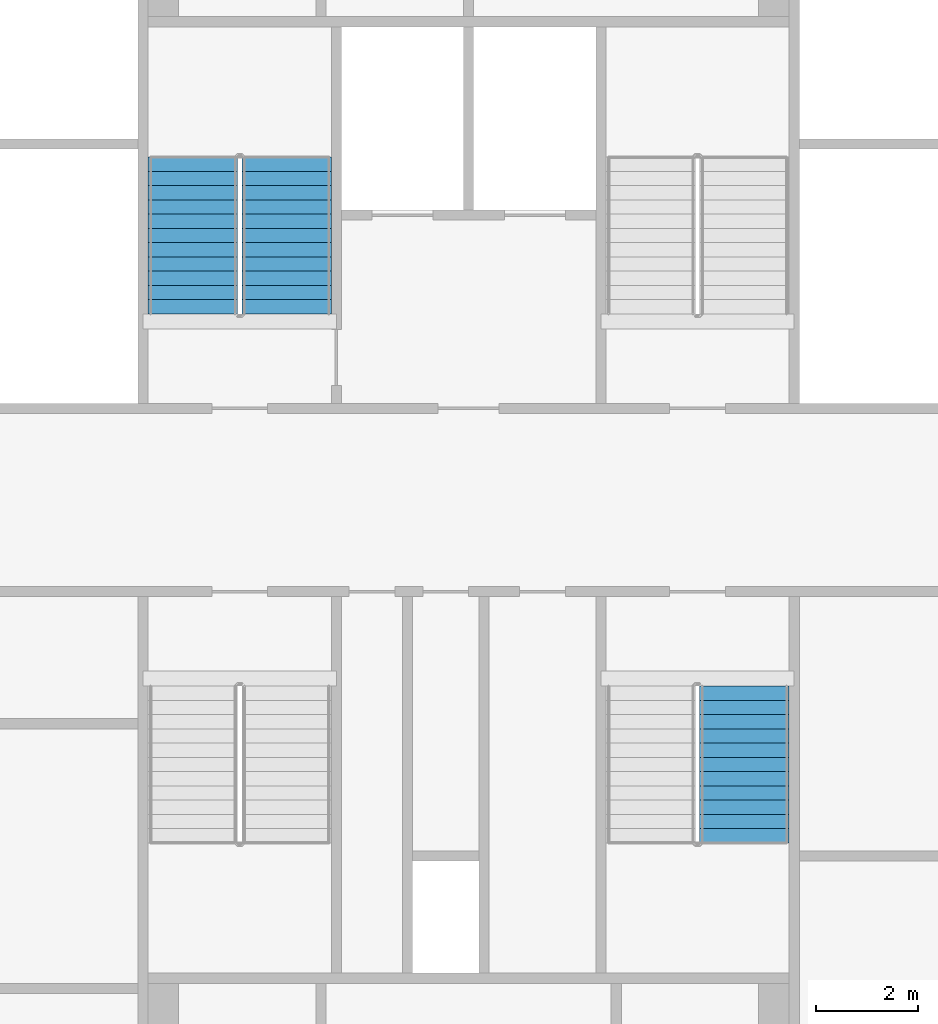
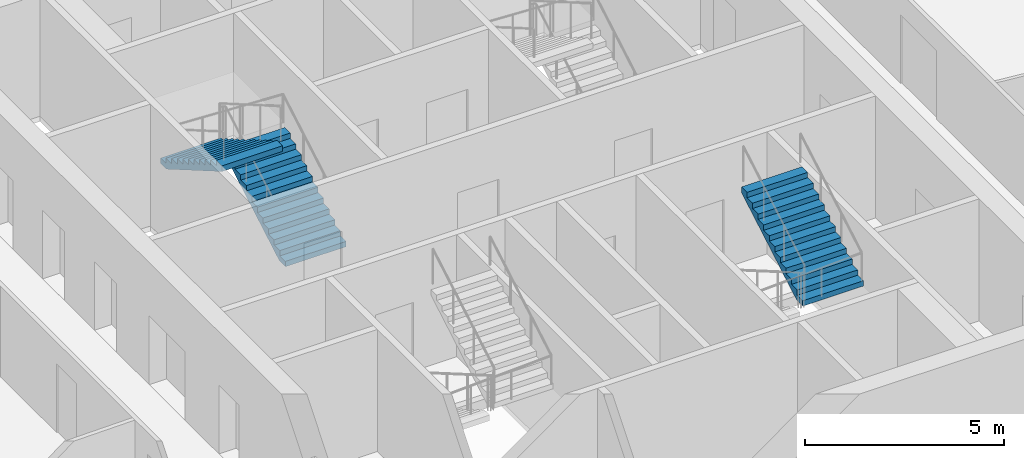
# One storey, part 9 of 15: 3 stair flights, 2 elements without a shape of their own.
"""IFC4 building model written with IfcOpenShell, lengths in metres."""

import ifcopenshell
import ifcopenshell.guid

model = None  # the IFC model being written
_history = None  # IfcOwnerHistory: only IFC2X3 demands one
_inside = {}  # id of a spatial element -> (the spatial element, [elements in it])
_under = {}  # id of a project, library or spatial element -> (it, [spatial elements below it])
_declared = {}  # id of a project -> (the project, [libraries it declares])
_typed = {}  # id of a type object -> (the type object, [elements of that type])
_made_of = {}  # id of a material, layer set ... -> (it, [elements and type objects made of it])


def new_model(schema):
    """Start an empty IFC model of exactly this schema.

    Asked for "IFC4X3", IfcOpenShell would pick the latest addendum, in which some entities
    have other attributes; the version numbers below select the first issue.
    IFC2X3 requires an IfcOwnerHistory on every rooted entity: one is made here for all.
    """
    global model, _history
    if schema == "IFC4X3":
        model = ifcopenshell.file(schema_version=(4, 3, 0, 0))
    else:
        model = ifcopenshell.file(schema=schema)
    _inside.clear()
    _under.clear()
    _declared.clear()
    _typed.clear()
    _made_of.clear()
    _history = None
    if model.schema == "IFC2X3":
        org = make("IfcOrganization", Name="unknown")
        user = make(
            "IfcPersonAndOrganization",
            ThePerson=make("IfcPerson", FamilyName="unknown"),
            TheOrganization=org,
        )
        app = make(
            "IfcApplication",
            ApplicationDeveloper=org,
            Version="unknown",
            ApplicationFullName="unknown",
            ApplicationIdentifier="unknown",
        )
        _history = make(
            "IfcOwnerHistory",
            OwningUser=user,
            OwningApplication=app,
            ChangeAction="ADDED",
            CreationDate=0,
        )
    return model


def make(cls, **values):
    """One entity of the class cls with the attributes given. An attribute that is None is left unset."""
    return model.create_entity(
        cls, **{name: value for name, value in values.items() if value is not None}
    )


def rooted(cls, **values):
    """An entity with a GlobalId (a new one), such as an element, a storey or a relation."""
    return make(cls, GlobalId=ifcopenshell.guid.new(), OwnerHistory=_history, **values)


def si_unit(unit_type, name, prefix=None):
    """IfcSIUnit, for example si_unit("LENGTHUNIT", "METRE", prefix="MILLI")."""
    return make("IfcSIUnit", UnitType=unit_type, Prefix=prefix, Name=name)


def assignment(units):
    """IfcUnitAssignment: the units of a project."""
    return None if units is None else make("IfcUnitAssignment", Units=units)


def point(xyz):
    """IfcCartesianPoint."""
    return None if xyz is None else make("IfcCartesianPoint", Coordinates=xyz)


def direction(xyz):
    """IfcDirection."""
    return None if xyz is None else make("IfcDirection", DirectionRatios=xyz)


def frame(location, z_axis=None, x_axis=None):
    """IfcAxis2Placement3D, a coordinate frame: its origin and axes. An axis left out is left unset."""
    return make(
        "IfcAxis2Placement3D",
        Location=point(location),
        Axis=direction(z_axis),
        RefDirection=direction(x_axis),
    )


def origin():
    """The frame at (0, 0, 0) with its axes left unset."""
    return frame((0.0, 0.0, 0.0))


def place(relative_to, where):
    """IfcLocalPlacement: puts the frame where relative to a parent placement (None: the world)."""
    return make(
        "IfcLocalPlacement", PlacementRelTo=relative_to, RelativePlacement=where
    )


def context(
    kind, dimensions, precision=None, world=None, true_north=None, identifier=None
):
    """IfcGeometricRepresentationContext, for example the 3D "Model" context."""
    return make(
        "IfcGeometricRepresentationContext",
        ContextIdentifier=identifier,
        ContextType=kind,
        CoordinateSpaceDimension=dimensions,
        Precision=precision,
        WorldCoordinateSystem=world,
        TrueNorth=true_north,
    )


def subcontext(parent, identifier, kind, view, scale=None):
    """IfcGeometricRepresentationSubContext, for example "Body" below "Model"."""
    return make(
        "IfcGeometricRepresentationSubContext",
        ContextIdentifier=identifier,
        ContextType=kind,
        ParentContext=parent,
        TargetScale=scale,
        TargetView=view,
    )


def project(units=None, contexts=None):
    """IfcProject with its units and contexts."""
    return rooted(
        "IfcProject",
        Name="project",
        RepresentationContexts=contexts,
        UnitsInContext=assignment(units),
    )


def spatial(cls, under=None, at=None, **own):
    """A site, building, storey or space (cls), placed at a placement, below another one or the project."""
    s = rooted(cls, ObjectPlacement=at, **own)
    if under is not None:
        _under.setdefault(under.id(), (under, []))[1].append(s)
    return s


def faces_of(points, faces, orient=None, outer=None):
    """IfcFace entities. A face is a list of loops; a loop is a list of indices into points, from 0.

    orient and outer hold one flag for each loop. By default every Orientation is true, the
    first loop of a face is its IfcFaceOuterBound and the others are IfcFaceBound.
    """
    made = []
    for i, loops in enumerate(faces):
        bounds = []
        for j, loop in enumerate(loops):
            is_outer = j == 0 if outer is None else outer[i][j]
            bounds.append(
                make(
                    "IfcFaceOuterBound" if is_outer else "IfcFaceBound",
                    Bound=make("IfcPolyLoop", Polygon=[points[k] for k in loop]),
                    Orientation=True if orient is None else orient[i][j],
                )
            )
        made.append(make("IfcFace", Bounds=bounds))
    return made


def faceted_brep(points, faces, orient=None, outer=None, voids=None):
    """IfcFacetedBrep: a solid bounded by flat faces; with voids (closed shells), ...WithVoids."""
    shared = [point(p) for p in points]
    hull = make("IfcClosedShell", CfsFaces=faces_of(shared, faces, orient, outer))
    if voids is None:
        return make("IfcFacetedBrep", Outer=hull)
    return make(
        "IfcFacetedBrepWithVoids",
        Outer=hull,
        Voids=[
            make(cls, CfsFaces=faces_of(shared, fs, o, b)) for cls, fs, o, b in voids
        ],
    )


def shape(context_of_items, identifier, shape_type, items):
    """IfcShapeRepresentation: the items that make up one representation, for example the "Body"."""
    return make(
        "IfcShapeRepresentation",
        ContextOfItems=context_of_items,
        RepresentationIdentifier=identifier,
        RepresentationType=shape_type,
        Items=items,
    )


def material(Name=None, Category=None):
    """IfcMaterial."""
    return make("IfcMaterial", Name=Name, Category=Category)


def made_of(thing, what):
    """Note that an element or type object is made of a material, layer set ...; save() writes the relation."""
    if what is not None:
        _made_of.setdefault(what.id(), (what, []))[1].append(thing)
    return thing


def type_object(cls, material=None, **own):
    """A type object (cls), such as IfcWallType, which elements share."""
    return made_of(rooted(cls, **own), material)


def element(
    cls,
    number,
    at=None,
    inside=None,
    cuts=None,
    type_object=None,
    material=None,
    context=None,
    identifier="Body",
    shape_type=None,
    held_by="IfcProductDefinitionShape",
    body=None,
    shapes=None,
    **own,
):
    """One element of the class cls, such as IfcWall. Its Tag is "e" and its number.

    at: its placement. inside: the storey or other place that contains it. cuts: it is an
    opening in that element (IfcRelVoidsElement). A single representation is given by context,
    identifier, shape_type and body (its items); several are given by shapes. held_by: the class
    of the entity that holds the representations. save() writes the other relations.
    """
    e = rooted(cls, Tag="e%d" % number, ObjectPlacement=at, **own)
    if body is not None:
        shapes = [shape(context, identifier, shape_type, body)]
    if shapes is not None:
        e.Representation = make(held_by, Representations=shapes)
    if inside is not None:
        _inside.setdefault(inside.id(), (inside, []))[1].append(e)
    if cuts is not None:
        rooted(
            "IfcRelVoidsElement", RelatingBuildingElement=cuts, RelatedOpeningElement=e
        )
    if type_object is not None:
        _typed.setdefault(type_object.id(), (type_object, []))[1].append(e)
    return made_of(e, material)


def aggregate(whole, parts):
    """IfcRelAggregates: a whole, such as a stair, and the parts it consists of."""
    return rooted("IfcRelAggregates", RelatingObject=whole, RelatedObjects=parts)


def save(model, path):
    """Write the relations noted so far, then the file.

    IfcRelAggregates (storeys below a building ...), IfcRelContainedInSpatialStructure (elements
    in a storey), IfcRelDefinesByType, IfcRelAssociatesMaterial and IfcRelDeclares: one each for
    every whole, place, type object, material and project.
    """
    for whole, parts in _under.values():
        aggregate(whole, parts)
    for where, things in _inside.values():
        rooted(
            "IfcRelContainedInSpatialStructure",
            RelatedElements=things,
            RelatingStructure=where,
        )
    for kind, things in _typed.values():
        rooted("IfcRelDefinesByType", RelatedObjects=things, RelatingType=kind)
    for what, things in _made_of.values():
        rooted("IfcRelAssociatesMaterial", RelatedObjects=things, RelatingMaterial=what)
    for by, libraries in _declared.values():
        rooted("IfcRelDeclares", RelatingContext=by, RelatedDefinitions=libraries)
    model.write(path)


model = new_model("IFC4")

# Units and contexts
model_context = context("Model", 3, precision=1e-05, world=origin(), true_north=direction((0.0, 1.0)))
body_context = subcontext(model_context, "Body", "Model", "MODEL_VIEW")
ifc_project = project(units=[si_unit("LENGTHUNIT", "METRE"), si_unit("AREAUNIT", "SQUARE_METRE"), si_unit("VOLUMEUNIT", "CUBIC_METRE"), si_unit("PLANEANGLEUNIT", "RADIAN"), si_unit("MASSUNIT", "GRAM", prefix="KILO")], contexts=[model_context])

# Site, building, storey
site_placement = place(None, origin())
site = spatial("IfcSite", under=ifc_project, at=site_placement, CompositionType="ELEMENT")
building_placement = place(site_placement, origin())
building = spatial("IfcBuilding", under=site, at=building_placement, Name="Tarsis Ring Headquarters", CompositionType="ELEMENT")
storey_placement = place(building_placement, frame((0.0, 0.0, 290.300048828125)))
storey = spatial("IfcBuildingStorey", under=building, at=storey_placement, Name="L68", CompositionType="ELEMENT", Elevation=290.300048828125)

# Stair, stair flights
ifc_material_1 = material(Name="Core stair 1760")
stair_type = type_object("IfcStairType", Name="Core stair 1760", PredefinedType="HALF_TURN_STAIR", material=ifc_material_1)
stair_1_placement = place(storey_placement, origin())
stair_1 = element("IfcStair", 1, at=stair_1_placement, inside=storey, type_object=stair_type, Name="L68 Firefighting stair", PredefinedType="HALF_TURN_STAIR")
ifc_material_2 = material(Name="Concrete C40/50", Category="concrete")
stair_flight_type = type_object("IfcStairFlightType", Name="Core stair flight 1760", PredefinedType="STRAIGHT", material=ifc_material_2)
stair_flight_1_placement = place(storey_placement, frame((-3.580078125, 3.659912109375, 0.0), z_axis=(0.0, 0.0, 1.0), x_axis=(0.0, 1.0, 0.0)))
stair_flight_1 = element("IfcStairFlight", 2, at=stair_flight_1_placement, type_object=stair_flight_type, Name="Stair ST1 flight 1", NumberOfRisers=12, NumberOfTreads=11, PredefinedType="STRAIGHT", RiserHeight=0.1625, TreadLength=0.28, context=body_context, shape_type="Brep", body=[
    faceted_brep([(0.0, 0.8798828125, 0.0), (0.0, 0.8798828125, 0.16259765625), (0.280029296875, 0.8798828125, 0.16259765625), (0.280029296875, 0.8798828125, 0.324951171875), (0.56005859375, 0.8798828125, 0.324951171875), (0.56005859375, 0.8798828125, 0.487548828125), (0.840087890625, 0.8798828125, 0.487548828125), (0.840087890625, 0.8798828125, 0.64990234375), (1.1201171875, 0.8798828125, 0.64990234375), (1.1201171875, 0.8798828125, 0.8125), (1.39990234375, 0.8798828125, 0.8125), (1.39990234375, 0.8798828125, 0.97509765625), (1.679931640625, 0.8798828125, 0.97509765625), (1.679931640625, 0.8798828125, 1.137451171875), (1.9599609375, 0.8798828125, 1.137451171875), (1.9599609375, 0.8798828125, 1.300048828125), (2.239990234375, 0.8798828125, 1.300048828125), (2.239990234375, 0.8798828125, 1.46240234375), (2.52001953125, 0.8798828125, 1.46240234375), (2.52001953125, 0.8798828125, 1.625), (2.800048828125, 0.8798828125, 1.625), (2.800048828125, 0.8798828125, 1.78759765625), (3.080078125, 0.8798828125, 1.78759765625), (3.080078125, 0.8798828125, 1.6142578125), (0.298583984375, 0.8798828125, 0.0), (0.298583984375, -0.8798828125, 0.0), (3.080078125, -0.8798828125, 1.6142578125), (3.080078125, -0.8798828125, 1.78759765625), (2.800048828125, -0.8798828125, 1.78759765625), (2.800048828125, -0.8798828125, 1.625), (2.52001953125, -0.8798828125, 1.625), (2.52001953125, -0.8798828125, 1.46240234375), (2.239990234375, -0.8798828125, 1.46240234375), (2.239990234375, -0.8798828125, 1.300048828125), (1.9599609375, -0.8798828125, 1.300048828125), (1.9599609375, -0.8798828125, 1.137451171875), (1.679931640625, -0.8798828125, 1.137451171875), (1.679931640625, -0.8798828125, 0.97509765625), (1.39990234375, -0.8798828125, 0.97509765625), (1.39990234375, -0.8798828125, 0.8125), (1.1201171875, -0.8798828125, 0.8125), (1.1201171875, -0.8798828125, 0.64990234375), (0.840087890625, -0.8798828125, 0.64990234375), (0.840087890625, -0.8798828125, 0.487548828125), (0.56005859375, -0.8798828125, 0.487548828125), (0.56005859375, -0.8798828125, 0.324951171875), (0.280029296875, -0.8798828125, 0.324951171875), (0.280029296875, -0.8798828125, 0.16259765625), (0.0, -0.8798828125, 0.16259765625), (0.0, -0.8798828125, 0.0), (0.0, -0.43994140625, 0.16259765625), (0.0, -0.43994140625, 0.0), (0.0, 0.0, 0.16259765625), (0.0, 0.0, 0.0), (0.0, 0.43994140625, 0.16259765625), (0.0, 0.43994140625, 0.0), (0.280029296875, -0.43994140625, 0.16259765625), (0.280029296875, 0.0, 0.16259765625), (0.280029296875, 0.43994140625, 0.16259765625), (0.280029296875, -0.43994140625, 0.324951171875), (0.280029296875, 0.0, 0.324951171875), (0.280029296875, 0.43994140625, 0.324951171875), (0.56005859375, -0.43994140625, 0.324951171875), (0.56005859375, 0.0, 0.324951171875), (0.56005859375, 0.43994140625, 0.324951171875), (0.56005859375, -0.43994140625, 0.487548828125), (0.56005859375, 0.0, 0.487548828125), (0.56005859375, 0.43994140625, 0.487548828125), (0.840087890625, -0.43994140625, 0.487548828125), (0.840087890625, 0.0, 0.487548828125), (0.840087890625, 0.43994140625, 0.487548828125), (0.840087890625, -0.43994140625, 0.64990234375), (0.840087890625, 0.0, 0.64990234375), (0.840087890625, 0.43994140625, 0.64990234375), (1.1201171875, -0.43994140625, 0.64990234375), (1.1201171875, 0.0, 0.64990234375), (1.1201171875, 0.43994140625, 0.64990234375), (1.1201171875, -0.43994140625, 0.8125), (1.1201171875, 0.0, 0.8125), (1.1201171875, 0.43994140625, 0.8125), (1.39990234375, -0.43994140625, 0.8125), (1.39990234375, 0.0, 0.8125), (1.39990234375, 0.43994140625, 0.8125), (1.39990234375, -0.43994140625, 0.97509765625), (1.39990234375, 0.0, 0.97509765625), (1.39990234375, 0.43994140625, 0.97509765625), (1.679931640625, -0.43994140625, 0.97509765625), (1.679931640625, 0.0, 0.97509765625), (1.679931640625, 0.43994140625, 0.97509765625), (1.679931640625, -0.43994140625, 1.137451171875), (1.679931640625, 0.0, 1.137451171875), (1.679931640625, 0.43994140625, 1.137451171875), (1.9599609375, -0.43994140625, 1.137451171875), (1.9599609375, 0.0, 1.137451171875), (1.9599609375, 0.43994140625, 1.137451171875), (1.9599609375, -0.43994140625, 1.300048828125), (1.9599609375, 0.0, 1.300048828125), (1.9599609375, 0.43994140625, 1.300048828125), (2.239990234375, -0.43994140625, 1.300048828125), (2.239990234375, 0.0, 1.300048828125), (2.239990234375, 0.43994140625, 1.300048828125), (2.239990234375, -0.43994140625, 1.46240234375), (2.239990234375, 0.0, 1.46240234375), (2.239990234375, 0.43994140625, 1.46240234375), (2.52001953125, -0.43994140625, 1.46240234375), (2.52001953125, 0.0, 1.46240234375), (2.52001953125, 0.43994140625, 1.46240234375), (2.52001953125, -0.43994140625, 1.625), (2.52001953125, 0.0, 1.625), (2.52001953125, 0.43994140625, 1.625), (2.800048828125, -0.43994140625, 1.625), (2.800048828125, 0.0, 1.625), (2.800048828125, 0.43994140625, 1.625), (2.800048828125, -0.43994140625, 1.78759765625), (2.800048828125, 0.0, 1.78759765625), (2.800048828125, 0.43994140625, 1.78759765625), (3.080078125, -0.43994140625, 1.78759765625), (3.080078125, 0.0, 1.78759765625), (3.080078125, 0.43994140625, 1.78759765625), (3.080078125, -0.43994140625, 1.6142578125), (3.080078125, 0.0, 1.6142578125), (3.080078125, 0.43994140625, 1.6142578125), (0.298583984375, -0.43994140625, 0.0), (0.298583984375, 0.0, 0.0), (0.298583984375, 0.43994140625, 0.0)], [[[0, 1, 2, 3, 4, 5, 6, 7, 8, 9, 10, 11, 12, 13, 14, 15, 16, 17, 18, 19, 20, 21, 22, 23, 24]], [[25, 26, 27, 28, 29, 30, 31, 32, 33, 34, 35, 36, 37, 38, 39, 40, 41, 42, 43, 44, 45, 46, 47, 48, 49]], [[49, 48, 50, 51]], [[51, 50, 52, 53]], [[53, 52, 54, 55]], [[55, 54, 1, 0]], [[48, 47, 56, 50]], [[50, 56, 57, 52]], [[52, 57, 58, 54]], [[54, 58, 2, 1]], [[47, 46, 59, 56]], [[56, 59, 60, 57]], [[57, 60, 61, 58]], [[58, 61, 3, 2]], [[46, 45, 62, 59]], [[59, 62, 63, 60]], [[60, 63, 64, 61]], [[61, 64, 4, 3]], [[45, 44, 65, 62]], [[62, 65, 66, 63]], [[63, 66, 67, 64]], [[64, 67, 5, 4]], [[44, 43, 68, 65]], [[65, 68, 69, 66]], [[66, 69, 70, 67]], [[67, 70, 6, 5]], [[43, 42, 71, 68]], [[68, 71, 72, 69]], [[69, 72, 73, 70]], [[70, 73, 7, 6]], [[42, 41, 74, 71]], [[71, 74, 75, 72]], [[72, 75, 76, 73]], [[73, 76, 8, 7]], [[41, 40, 77, 74]], [[74, 77, 78, 75]], [[75, 78, 79, 76]], [[76, 79, 9, 8]], [[40, 39, 80, 77]], [[77, 80, 81, 78]], [[78, 81, 82, 79]], [[79, 82, 10, 9]], [[39, 38, 83, 80]], [[80, 83, 84, 81]], [[81, 84, 85, 82]], [[82, 85, 11, 10]], [[38, 37, 86, 83]], [[83, 86, 87, 84]], [[84, 87, 88, 85]], [[85, 88, 12, 11]], [[37, 36, 89, 86]], [[86, 89, 90, 87]], [[87, 90, 91, 88]], [[88, 91, 13, 12]], [[36, 35, 92, 89]], [[89, 92, 93, 90]], [[90, 93, 94, 91]], [[91, 94, 14, 13]], [[35, 34, 95, 92]], [[92, 95, 96, 93]], [[93, 96, 97, 94]], [[94, 97, 15, 14]], [[34, 33, 98, 95]], [[95, 98, 99, 96]], [[96, 99, 100, 97]], [[97, 100, 16, 15]], [[33, 32, 101, 98]], [[98, 101, 102, 99]], [[99, 102, 103, 100]], [[100, 103, 17, 16]], [[32, 31, 104, 101]], [[101, 104, 105, 102]], [[102, 105, 106, 103]], [[103, 106, 18, 17]], [[31, 30, 107, 104]], [[104, 107, 108, 105]], [[105, 108, 109, 106]], [[106, 109, 19, 18]], [[30, 29, 110, 107]], [[107, 110, 111, 108]], [[108, 111, 112, 109]], [[109, 112, 20, 19]], [[29, 28, 113, 110]], [[110, 113, 114, 111]], [[111, 114, 115, 112]], [[112, 115, 21, 20]], [[28, 27, 116, 113]], [[113, 116, 117, 114]], [[114, 117, 118, 115]], [[115, 118, 22, 21]], [[27, 26, 119, 116]], [[116, 119, 120, 117]], [[117, 120, 121, 118]], [[118, 121, 23, 22]], [[26, 25, 122, 119]], [[119, 122, 123, 120]], [[120, 123, 124, 121]], [[121, 124, 24, 23]], [[25, 49, 51, 122]], [[122, 51, 53, 123]], [[123, 53, 55, 124]], [[124, 55, 0, 24]]]),
])
stair_flight_2_placement = place(storey_placement, frame((-5.419921875, 6.739990234375, 1.949951171875), z_axis=(0.0, 0.0, 1.0), x_axis=(0.0, -1.0, 0.0)))
stair_flight_2 = element("IfcStairFlight", 3, at=stair_flight_2_placement, type_object=stair_flight_type, Name="Stair ST1 flight 2", NumberOfRisers=12, NumberOfTreads=11, PredefinedType="STRAIGHT", RiserHeight=0.1625, TreadLength=0.28, context=body_context, shape_type="Brep", body=[
    faceted_brep([(0.0, 0.8798828125, 0.0), (0.0, 0.8798828125, 0.16259765625), (0.280029296875, 0.8798828125, 0.16259765625), (0.280029296875, 0.8798828125, 0.324951171875), (0.56005859375, 0.8798828125, 0.324951171875), (0.56005859375, 0.8798828125, 0.487548828125), (0.840087890625, 0.8798828125, 0.487548828125), (0.840087890625, 0.8798828125, 0.64990234375), (1.1201171875, 0.8798828125, 0.64990234375), (1.1201171875, 0.8798828125, 0.8125), (1.39990234375, 0.8798828125, 0.8125), (1.39990234375, 0.8798828125, 0.97509765625), (1.679931640625, 0.8798828125, 0.97509765625), (1.679931640625, 0.8798828125, 1.137451171875), (1.9599609375, 0.8798828125, 1.137451171875), (1.9599609375, 0.8798828125, 1.300048828125), (2.239990234375, 0.8798828125, 1.300048828125), (2.239990234375, 0.8798828125, 1.46240234375), (2.52001953125, 0.8798828125, 1.46240234375), (2.52001953125, 0.8798828125, 1.625), (2.800048828125, 0.8798828125, 1.625), (2.800048828125, 0.8798828125, 1.78759765625), (3.080078125, 0.8798828125, 1.78759765625), (3.080078125, 0.8798828125, 1.6142578125), (0.298583984375, 0.8798828125, 0.0), (0.298583984375, -0.8798828125, 0.0), (3.080078125, -0.8798828125, 1.6142578125), (3.080078125, -0.8798828125, 1.78759765625), (2.800048828125, -0.8798828125, 1.78759765625), (2.800048828125, -0.8798828125, 1.625), (2.52001953125, -0.8798828125, 1.625), (2.52001953125, -0.8798828125, 1.46240234375), (2.239990234375, -0.8798828125, 1.46240234375), (2.239990234375, -0.8798828125, 1.300048828125), (1.9599609375, -0.8798828125, 1.300048828125), (1.9599609375, -0.8798828125, 1.137451171875), (1.679931640625, -0.8798828125, 1.137451171875), (1.679931640625, -0.8798828125, 0.97509765625), (1.39990234375, -0.8798828125, 0.97509765625), (1.39990234375, -0.8798828125, 0.8125), (1.1201171875, -0.8798828125, 0.8125), (1.1201171875, -0.8798828125, 0.64990234375), (0.840087890625, -0.8798828125, 0.64990234375), (0.840087890625, -0.8798828125, 0.487548828125), (0.56005859375, -0.8798828125, 0.487548828125), (0.56005859375, -0.8798828125, 0.324951171875), (0.280029296875, -0.8798828125, 0.324951171875), (0.280029296875, -0.8798828125, 0.16259765625), (0.0, -0.8798828125, 0.16259765625), (0.0, -0.8798828125, 0.0), (0.0, -0.43994140625, 0.16259765625), (0.0, -0.43994140625, 0.0), (0.0, 0.0, 0.16259765625), (0.0, 0.0, 0.0), (0.0, 0.43994140625, 0.16259765625), (0.0, 0.43994140625, 0.0), (0.280029296875, -0.43994140625, 0.16259765625), (0.280029296875, 0.0, 0.16259765625), (0.280029296875, 0.43994140625, 0.16259765625), (0.280029296875, -0.43994140625, 0.324951171875), (0.280029296875, 0.0, 0.324951171875), (0.280029296875, 0.43994140625, 0.324951171875), (0.56005859375, -0.43994140625, 0.324951171875), (0.56005859375, 0.0, 0.324951171875), (0.56005859375, 0.43994140625, 0.324951171875), (0.56005859375, -0.43994140625, 0.487548828125), (0.56005859375, 0.0, 0.487548828125), (0.56005859375, 0.43994140625, 0.487548828125), (0.840087890625, -0.43994140625, 0.487548828125), (0.840087890625, 0.0, 0.487548828125), (0.840087890625, 0.43994140625, 0.487548828125), (0.840087890625, -0.43994140625, 0.64990234375), (0.840087890625, 0.0, 0.64990234375), (0.840087890625, 0.43994140625, 0.64990234375), (1.1201171875, -0.43994140625, 0.64990234375), (1.1201171875, 0.0, 0.64990234375), (1.1201171875, 0.43994140625, 0.64990234375), (1.1201171875, -0.43994140625, 0.8125), (1.1201171875, 0.0, 0.8125), (1.1201171875, 0.43994140625, 0.8125), (1.39990234375, -0.43994140625, 0.8125), (1.39990234375, 0.0, 0.8125), (1.39990234375, 0.43994140625, 0.8125), (1.39990234375, -0.43994140625, 0.97509765625), (1.39990234375, 0.0, 0.97509765625), (1.39990234375, 0.43994140625, 0.97509765625), (1.679931640625, -0.43994140625, 0.97509765625), (1.679931640625, 0.0, 0.97509765625), (1.679931640625, 0.43994140625, 0.97509765625), (1.679931640625, -0.43994140625, 1.137451171875), (1.679931640625, 0.0, 1.137451171875), (1.679931640625, 0.43994140625, 1.137451171875), (1.9599609375, -0.43994140625, 1.137451171875), (1.9599609375, 0.0, 1.137451171875), (1.9599609375, 0.43994140625, 1.137451171875), (1.9599609375, -0.43994140625, 1.300048828125), (1.9599609375, 0.0, 1.300048828125), (1.9599609375, 0.43994140625, 1.300048828125), (2.239990234375, -0.43994140625, 1.300048828125), (2.239990234375, 0.0, 1.300048828125), (2.239990234375, 0.43994140625, 1.300048828125), (2.239990234375, -0.43994140625, 1.46240234375), (2.239990234375, 0.0, 1.46240234375), (2.239990234375, 0.43994140625, 1.46240234375), (2.52001953125, -0.43994140625, 1.46240234375), (2.52001953125, 0.0, 1.46240234375), (2.52001953125, 0.43994140625, 1.46240234375), (2.52001953125, -0.43994140625, 1.625), (2.52001953125, 0.0, 1.625), (2.52001953125, 0.43994140625, 1.625), (2.800048828125, -0.43994140625, 1.625), (2.800048828125, 0.0, 1.625), (2.800048828125, 0.43994140625, 1.625), (2.800048828125, -0.43994140625, 1.78759765625), (2.800048828125, 0.0, 1.78759765625), (2.800048828125, 0.43994140625, 1.78759765625), (3.080078125, -0.43994140625, 1.78759765625), (3.080078125, 0.0, 1.78759765625), (3.080078125, 0.43994140625, 1.78759765625), (3.080078125, -0.43994140625, 1.6142578125), (3.080078125, 0.0, 1.6142578125), (3.080078125, 0.43994140625, 1.6142578125), (0.298583984375, -0.43994140625, 0.0), (0.298583984375, 0.0, 0.0), (0.298583984375, 0.43994140625, 0.0)], [[[0, 1, 2, 3, 4, 5, 6, 7, 8, 9, 10, 11, 12, 13, 14, 15, 16, 17, 18, 19, 20, 21, 22, 23, 24]], [[25, 26, 27, 28, 29, 30, 31, 32, 33, 34, 35, 36, 37, 38, 39, 40, 41, 42, 43, 44, 45, 46, 47, 48, 49]], [[49, 48, 50, 51]], [[51, 50, 52, 53]], [[53, 52, 54, 55]], [[55, 54, 1, 0]], [[48, 47, 56, 50]], [[50, 56, 57, 52]], [[52, 57, 58, 54]], [[54, 58, 2, 1]], [[47, 46, 59, 56]], [[56, 59, 60, 57]], [[57, 60, 61, 58]], [[58, 61, 3, 2]], [[46, 45, 62, 59]], [[59, 62, 63, 60]], [[60, 63, 64, 61]], [[61, 64, 4, 3]], [[45, 44, 65, 62]], [[62, 65, 66, 63]], [[63, 66, 67, 64]], [[64, 67, 5, 4]], [[44, 43, 68, 65]], [[65, 68, 69, 66]], [[66, 69, 70, 67]], [[67, 70, 6, 5]], [[43, 42, 71, 68]], [[68, 71, 72, 69]], [[69, 72, 73, 70]], [[70, 73, 7, 6]], [[42, 41, 74, 71]], [[71, 74, 75, 72]], [[72, 75, 76, 73]], [[73, 76, 8, 7]], [[41, 40, 77, 74]], [[74, 77, 78, 75]], [[75, 78, 79, 76]], [[76, 79, 9, 8]], [[40, 39, 80, 77]], [[77, 80, 81, 78]], [[78, 81, 82, 79]], [[79, 82, 10, 9]], [[39, 38, 83, 80]], [[80, 83, 84, 81]], [[81, 84, 85, 82]], [[82, 85, 11, 10]], [[38, 37, 86, 83]], [[83, 86, 87, 84]], [[84, 87, 88, 85]], [[85, 88, 12, 11]], [[37, 36, 89, 86]], [[86, 89, 90, 87]], [[87, 90, 91, 88]], [[88, 91, 13, 12]], [[36, 35, 92, 89]], [[89, 92, 93, 90]], [[90, 93, 94, 91]], [[91, 94, 14, 13]], [[35, 34, 95, 92]], [[92, 95, 96, 93]], [[93, 96, 97, 94]], [[94, 97, 15, 14]], [[34, 33, 98, 95]], [[95, 98, 99, 96]], [[96, 99, 100, 97]], [[97, 100, 16, 15]], [[33, 32, 101, 98]], [[98, 101, 102, 99]], [[99, 102, 103, 100]], [[100, 103, 17, 16]], [[32, 31, 104, 101]], [[101, 104, 105, 102]], [[102, 105, 106, 103]], [[103, 106, 18, 17]], [[31, 30, 107, 104]], [[104, 107, 108, 105]], [[105, 108, 109, 106]], [[106, 109, 19, 18]], [[30, 29, 110, 107]], [[107, 110, 111, 108]], [[108, 111, 112, 109]], [[109, 112, 20, 19]], [[29, 28, 113, 110]], [[110, 113, 114, 111]], [[111, 114, 115, 112]], [[112, 115, 21, 20]], [[28, 27, 116, 113]], [[113, 116, 117, 114]], [[114, 117, 118, 115]], [[115, 118, 22, 21]], [[27, 26, 119, 116]], [[116, 119, 120, 117]], [[117, 120, 121, 118]], [[118, 121, 23, 22]], [[26, 25, 122, 119]], [[119, 122, 123, 120]], [[120, 123, 124, 121]], [[121, 124, 24, 23]], [[25, 49, 51, 122]], [[122, 51, 53, 123]], [[123, 53, 55, 124]], [[124, 55, 0, 24]]]),
])
aggregate(stair_1, [stair_flight_1, stair_flight_2])

# Stair, stair flight
stair_2_placement = place(storey_placement, origin())
stair_2 = element("IfcStair", 4, at=stair_2_placement, inside=storey, type_object=stair_type, Name="L68 Exit stair D", PredefinedType="HALF_TURN_STAIR")
stair_flight_3_placement = place(storey_placement, frame((5.419921875, -6.739990234375, 1.949951171875), z_axis=(0.0, 0.0, 1.0), x_axis=(0.0, 1.0, 0.0)))
stair_flight_3 = element("IfcStairFlight", 5, at=stair_flight_3_placement, type_object=stair_flight_type, Name="Stair ST4 flight 2", NumberOfRisers=12, NumberOfTreads=11, PredefinedType="STRAIGHT", RiserHeight=0.1625, TreadLength=0.28, context=body_context, shape_type="Brep", body=[
    faceted_brep([(0.0, 0.8798828125, 0.0), (0.0, 0.8798828125, 0.16259765625), (0.280029296875, 0.8798828125, 0.16259765625), (0.280029296875, 0.8798828125, 0.324951171875), (0.56005859375, 0.8798828125, 0.324951171875), (0.56005859375, 0.8798828125, 0.487548828125), (0.840087890625, 0.8798828125, 0.487548828125), (0.840087890625, 0.8798828125, 0.64990234375), (1.1201171875, 0.8798828125, 0.64990234375), (1.1201171875, 0.8798828125, 0.8125), (1.39990234375, 0.8798828125, 0.8125), (1.39990234375, 0.8798828125, 0.97509765625), (1.679931640625, 0.8798828125, 0.97509765625), (1.679931640625, 0.8798828125, 1.137451171875), (1.9599609375, 0.8798828125, 1.137451171875), (1.9599609375, 0.8798828125, 1.300048828125), (2.239990234375, 0.8798828125, 1.300048828125), (2.239990234375, 0.8798828125, 1.46240234375), (2.52001953125, 0.8798828125, 1.46240234375), (2.52001953125, 0.8798828125, 1.625), (2.800048828125, 0.8798828125, 1.625), (2.800048828125, 0.8798828125, 1.78759765625), (3.080078125, 0.8798828125, 1.78759765625), (3.080078125, 0.8798828125, 1.6142578125), (0.298583984375, 0.8798828125, 0.0), (0.298583984375, -0.8798828125, 0.0), (3.080078125, -0.8798828125, 1.6142578125), (3.080078125, -0.8798828125, 1.78759765625), (2.800048828125, -0.8798828125, 1.78759765625), (2.800048828125, -0.8798828125, 1.625), (2.52001953125, -0.8798828125, 1.625), (2.52001953125, -0.8798828125, 1.46240234375), (2.239990234375, -0.8798828125, 1.46240234375), (2.239990234375, -0.8798828125, 1.300048828125), (1.9599609375, -0.8798828125, 1.300048828125), (1.9599609375, -0.8798828125, 1.137451171875), (1.679931640625, -0.8798828125, 1.137451171875), (1.679931640625, -0.8798828125, 0.97509765625), (1.39990234375, -0.8798828125, 0.97509765625), (1.39990234375, -0.8798828125, 0.8125), (1.1201171875, -0.8798828125, 0.8125), (1.1201171875, -0.8798828125, 0.64990234375), (0.840087890625, -0.8798828125, 0.64990234375), (0.840087890625, -0.8798828125, 0.487548828125), (0.56005859375, -0.8798828125, 0.487548828125), (0.56005859375, -0.8798828125, 0.324951171875), (0.280029296875, -0.8798828125, 0.324951171875), (0.280029296875, -0.8798828125, 0.16259765625), (0.0, -0.8798828125, 0.16259765625), (0.0, -0.8798828125, 0.0), (0.0, -0.43994140625, 0.16259765625), (0.0, -0.43994140625, 0.0), (0.0, 0.0, 0.16259765625), (0.0, 0.0, 0.0), (0.0, 0.43994140625, 0.16259765625), (0.0, 0.43994140625, 0.0), (0.280029296875, -0.43994140625, 0.16259765625), (0.280029296875, 0.0, 0.16259765625), (0.280029296875, 0.43994140625, 0.16259765625), (0.280029296875, -0.43994140625, 0.324951171875), (0.280029296875, 0.0, 0.324951171875), (0.280029296875, 0.43994140625, 0.324951171875), (0.56005859375, -0.43994140625, 0.324951171875), (0.56005859375, 0.0, 0.324951171875), (0.56005859375, 0.43994140625, 0.324951171875), (0.56005859375, -0.43994140625, 0.487548828125), (0.56005859375, 0.0, 0.487548828125), (0.56005859375, 0.43994140625, 0.487548828125), (0.840087890625, -0.43994140625, 0.487548828125), (0.840087890625, 0.0, 0.487548828125), (0.840087890625, 0.43994140625, 0.487548828125), (0.840087890625, -0.43994140625, 0.64990234375), (0.840087890625, 0.0, 0.64990234375), (0.840087890625, 0.43994140625, 0.64990234375), (1.1201171875, -0.43994140625, 0.64990234375), (1.1201171875, 0.0, 0.64990234375), (1.1201171875, 0.43994140625, 0.64990234375), (1.1201171875, -0.43994140625, 0.8125), (1.1201171875, 0.0, 0.8125), (1.1201171875, 0.43994140625, 0.8125), (1.39990234375, -0.43994140625, 0.8125), (1.39990234375, 0.0, 0.8125), (1.39990234375, 0.43994140625, 0.8125), (1.39990234375, -0.43994140625, 0.97509765625), (1.39990234375, 0.0, 0.97509765625), (1.39990234375, 0.43994140625, 0.97509765625), (1.679931640625, -0.43994140625, 0.97509765625), (1.679931640625, 0.0, 0.97509765625), (1.679931640625, 0.43994140625, 0.97509765625), (1.679931640625, -0.43994140625, 1.137451171875), (1.679931640625, 0.0, 1.137451171875), (1.679931640625, 0.43994140625, 1.137451171875), (1.9599609375, -0.43994140625, 1.137451171875), (1.9599609375, 0.0, 1.137451171875), (1.9599609375, 0.43994140625, 1.137451171875), (1.9599609375, -0.43994140625, 1.300048828125), (1.9599609375, 0.0, 1.300048828125), (1.9599609375, 0.43994140625, 1.300048828125), (2.239990234375, -0.43994140625, 1.300048828125), (2.239990234375, 0.0, 1.300048828125), (2.239990234375, 0.43994140625, 1.300048828125), (2.239990234375, -0.43994140625, 1.46240234375), (2.239990234375, 0.0, 1.46240234375), (2.239990234375, 0.43994140625, 1.46240234375), (2.52001953125, -0.43994140625, 1.46240234375), (2.52001953125, 0.0, 1.46240234375), (2.52001953125, 0.43994140625, 1.46240234375), (2.52001953125, -0.43994140625, 1.625), (2.52001953125, 0.0, 1.625), (2.52001953125, 0.43994140625, 1.625), (2.800048828125, -0.43994140625, 1.625), (2.800048828125, 0.0, 1.625), (2.800048828125, 0.43994140625, 1.625), (2.800048828125, -0.43994140625, 1.78759765625), (2.800048828125, 0.0, 1.78759765625), (2.800048828125, 0.43994140625, 1.78759765625), (3.080078125, -0.43994140625, 1.78759765625), (3.080078125, 0.0, 1.78759765625), (3.080078125, 0.43994140625, 1.78759765625), (3.080078125, -0.43994140625, 1.6142578125), (3.080078125, 0.0, 1.6142578125), (3.080078125, 0.43994140625, 1.6142578125), (0.298583984375, -0.43994140625, 0.0), (0.298583984375, 0.0, 0.0), (0.298583984375, 0.43994140625, 0.0)], [[[0, 1, 2, 3, 4, 5, 6, 7, 8, 9, 10, 11, 12, 13, 14, 15, 16, 17, 18, 19, 20, 21, 22, 23, 24]], [[25, 26, 27, 28, 29, 30, 31, 32, 33, 34, 35, 36, 37, 38, 39, 40, 41, 42, 43, 44, 45, 46, 47, 48, 49]], [[49, 48, 50, 51]], [[51, 50, 52, 53]], [[53, 52, 54, 55]], [[55, 54, 1, 0]], [[48, 47, 56, 50]], [[50, 56, 57, 52]], [[52, 57, 58, 54]], [[54, 58, 2, 1]], [[47, 46, 59, 56]], [[56, 59, 60, 57]], [[57, 60, 61, 58]], [[58, 61, 3, 2]], [[46, 45, 62, 59]], [[59, 62, 63, 60]], [[60, 63, 64, 61]], [[61, 64, 4, 3]], [[45, 44, 65, 62]], [[62, 65, 66, 63]], [[63, 66, 67, 64]], [[64, 67, 5, 4]], [[44, 43, 68, 65]], [[65, 68, 69, 66]], [[66, 69, 70, 67]], [[67, 70, 6, 5]], [[43, 42, 71, 68]], [[68, 71, 72, 69]], [[69, 72, 73, 70]], [[70, 73, 7, 6]], [[42, 41, 74, 71]], [[71, 74, 75, 72]], [[72, 75, 76, 73]], [[73, 76, 8, 7]], [[41, 40, 77, 74]], [[74, 77, 78, 75]], [[75, 78, 79, 76]], [[76, 79, 9, 8]], [[40, 39, 80, 77]], [[77, 80, 81, 78]], [[78, 81, 82, 79]], [[79, 82, 10, 9]], [[39, 38, 83, 80]], [[80, 83, 84, 81]], [[81, 84, 85, 82]], [[82, 85, 11, 10]], [[38, 37, 86, 83]], [[83, 86, 87, 84]], [[84, 87, 88, 85]], [[85, 88, 12, 11]], [[37, 36, 89, 86]], [[86, 89, 90, 87]], [[87, 90, 91, 88]], [[88, 91, 13, 12]], [[36, 35, 92, 89]], [[89, 92, 93, 90]], [[90, 93, 94, 91]], [[91, 94, 14, 13]], [[35, 34, 95, 92]], [[92, 95, 96, 93]], [[93, 96, 97, 94]], [[94, 97, 15, 14]], [[34, 33, 98, 95]], [[95, 98, 99, 96]], [[96, 99, 100, 97]], [[97, 100, 16, 15]], [[33, 32, 101, 98]], [[98, 101, 102, 99]], [[99, 102, 103, 100]], [[100, 103, 17, 16]], [[32, 31, 104, 101]], [[101, 104, 105, 102]], [[102, 105, 106, 103]], [[103, 106, 18, 17]], [[31, 30, 107, 104]], [[104, 107, 108, 105]], [[105, 108, 109, 106]], [[106, 109, 19, 18]], [[30, 29, 110, 107]], [[107, 110, 111, 108]], [[108, 111, 112, 109]], [[109, 112, 20, 19]], [[29, 28, 113, 110]], [[110, 113, 114, 111]], [[111, 114, 115, 112]], [[112, 115, 21, 20]], [[28, 27, 116, 113]], [[113, 116, 117, 114]], [[114, 117, 118, 115]], [[115, 118, 22, 21]], [[27, 26, 119, 116]], [[116, 119, 120, 117]], [[117, 120, 121, 118]], [[118, 121, 23, 22]], [[26, 25, 122, 119]], [[119, 122, 123, 120]], [[120, 123, 124, 121]], [[121, 124, 24, 23]], [[25, 49, 51, 122]], [[122, 51, 53, 123]], [[123, 53, 55, 124]], [[124, 55, 0, 24]]]),
])
aggregate(stair_2, [stair_flight_3])

save(model, "model.ifc")
